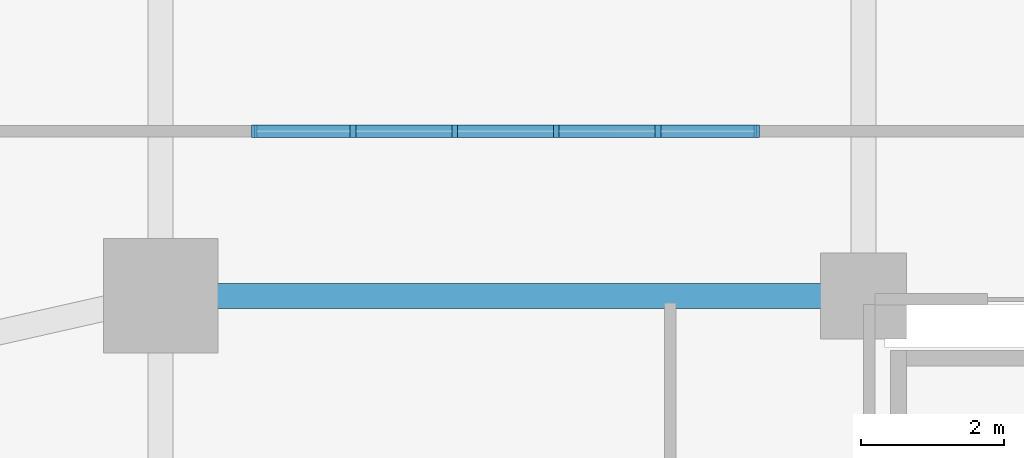
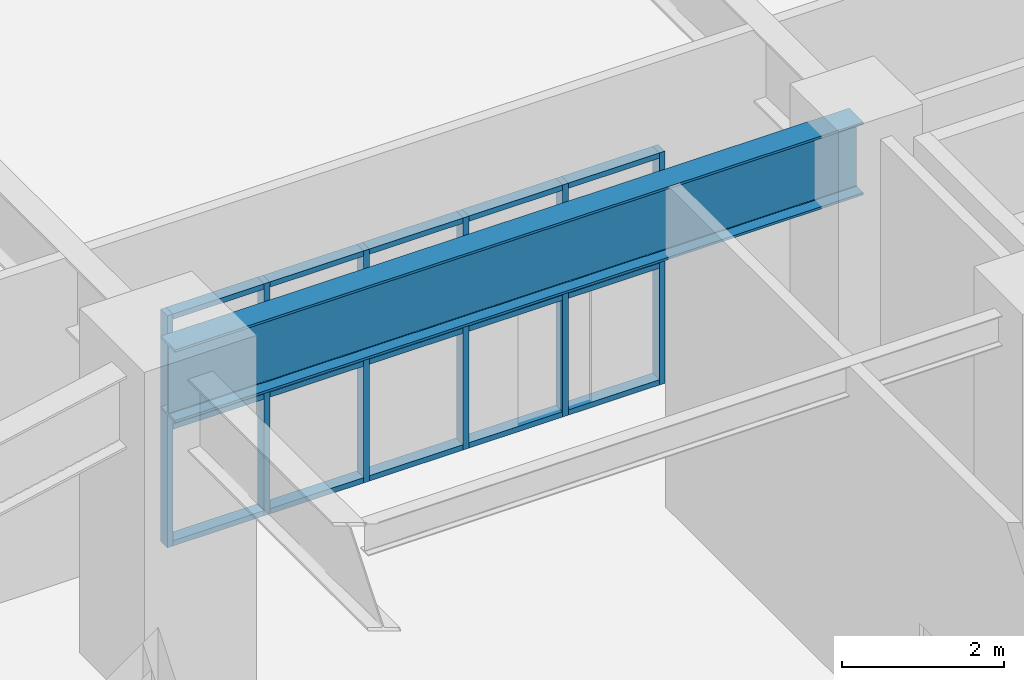
# One storey, part 3 of 14: 21 members, 1 beam, 1 element without a shape of its own.
"""IFC4 building model written with IfcOpenShell, lengths in metres."""

from ifc_helpers import new_model, si_unit, derived_unit, direction, frame, origin, origin_2d, place, context, subcontext, project, spatial, rectangle, i_section, extrude, material, material_profile, profile_set, type_object, element, aggregate, save


model = new_model("IFC4")

# Units and contexts
model_context = context("Model", 3, precision=1e-05, world=origin(), true_north=direction((0.0, 1.0)))
body_context = subcontext(model_context, "Body", "Model", "MODEL_VIEW")
ifc_project = project(units=[si_unit("LENGTHUNIT", "METRE"), si_unit("AREAUNIT", "SQUARE_METRE"), si_unit("VOLUMEUNIT", "CUBIC_METRE"), si_unit("PLANEANGLEUNIT", "RADIAN"), si_unit("MASSUNIT", "GRAM", prefix="KILO"), derived_unit("THERMALTRANSMITTANCEUNIT", [(si_unit("MASSUNIT", "GRAM", prefix="KILO"), 1), (si_unit("TIMEUNIT", "SECOND"), -3), (si_unit("THERMODYNAMICTEMPERATUREUNIT", "KELVIN"), -1)])], contexts=[model_context])

# Site, building, storey
site_placement = place(None, origin())
site = spatial("IfcSite", under=ifc_project, at=site_placement, CompositionType="ELEMENT")
building_placement = place(site_placement, origin())
building = spatial("IfcBuilding", under=site, at=building_placement, Name="Korrvale Station Residences", CompositionType="ELEMENT")
storey_placement = place(building_placement, frame((0.0, 0.0, 6.0)))
storey = spatial("IfcBuildingStorey", under=building, at=storey_placement, Name="L01", CompositionType="ELEMENT", Elevation=6.0)

# Beam
ifc_material_1 = material(Name="Steel S355", Category="steel")
ifc_material_profile = material_profile(ifc_material_1, i_section(OverallWidth=0.35009765625, OverallDepth=1.10009765625, WebThickness=0.01611328125, FlangeThickness=0.034912109375, FilletRadius=0.01806640625, at=origin_2d()), Name="WWF1100x351")
ifc_profile_set = profile_set([ifc_material_profile], Name="Steel S355")
beam_type = type_object("IfcBeamType", Name="BM-BM-WWF1100x351-S355", PredefinedType="BEAM", material=ifc_profile_set)
beam_placement = place(storey_placement, frame((7.97998046875, 29.0, 4.330078125), z_axis=(1.0, 0.0, 0.0), x_axis=(0.0, 1.0, 0.0)))
element("IfcBeam", 1, at=beam_placement, inside=storey, type_object=beam_type, Name="L01 Station Primary Girder 08", PredefinedType="BEAM", context=body_context, shape_type="SweptSolid", body=[
    extrude(i_section(OverallWidth=0.35009765625, OverallDepth=1.10009765625, WebThickness=0.01611328125, FlangeThickness=0.034912109375, FilletRadius=0.01806640625, at=origin_2d()), origin(), (0.0, 0.0, 1.0), 9.820068359375),
])

# Curtain wall, members
ifc_material_2 = material(Name="Unitised thermally broken aluminium curtain wall with triple low-e IGU", Category="aluminium")
curtain_wall_type = type_object("IfcCurtainWallType", Name="CW-STN-CON", PredefinedType="NOTDEFINED", material=ifc_material_2)
curtain_wall_placement = place(storey_placement, origin())
curtain_wall = element("IfcCurtainWall", 2, at=curtain_wall_placement, inside=storey, type_object=curtain_wall_type, Name="L01 Curtain Wall CW2-RUN-3", PredefinedType="NOTDEFINED")
ifc_material_3 = material(Name="Extruded thermally broken aluminium mullion", Category="aluminium")
member_type_1 = type_object("IfcMemberType", Name="CW-STN-CON-M", PredefinedType="MULLION", material=ifc_material_3)
member_1_placement = place(storey_placement, frame((9.2900390625, 31.300048828125, 0.0), z_axis=(0.0, 0.0, 1.0), x_axis=(1.0, 0.0, 0.0)))
member_1 = element("IfcMember", 3, at=member_1_placement, type_object=member_type_1, Name="CW-STN-CON Mullion 1", PredefinedType="MULLION", context=body_context, shape_type="SweptSolid", body=[
    extrude(rectangle(XDim=0.080078125, YDim=0.169921875, at=origin_2d()), origin(), (0.0, 0.0, 1.0), 3.5),
])
member_2_placement = place(storey_placement, frame((10.669921875, 31.300048828125, 0.0), z_axis=(0.0, 0.0, 1.0), x_axis=(1.0, 0.0, 0.0)))
member_2 = element("IfcMember", 4, at=member_2_placement, type_object=member_type_1, Name="CW-STN-CON Mullion 2", PredefinedType="MULLION", context=body_context, shape_type="SweptSolid", body=[
    extrude(rectangle(XDim=0.080078125, YDim=0.169921875, at=origin_2d()), origin(), (0.0, 0.0, 1.0), 3.5),
])
member_3_placement = place(storey_placement, frame((12.090087890625, 31.300048828125, 0.0), z_axis=(0.0, 0.0, 1.0), x_axis=(1.0, 0.0, 0.0)))
member_3 = element("IfcMember", 5, at=member_3_placement, type_object=member_type_1, Name="CW-STN-CON Mullion 3", PredefinedType="MULLION", context=body_context, shape_type="SweptSolid", body=[
    extrude(rectangle(XDim=0.080078125, YDim=0.169921875, at=origin_2d()), origin(), (0.0, 0.0, 1.0), 3.5),
])
member_4_placement = place(storey_placement, frame((13.510009765625, 31.300048828125, 0.0), z_axis=(0.0, 0.0, 1.0), x_axis=(1.0, 0.0, 0.0)))
member_4 = element("IfcMember", 6, at=member_4_placement, type_object=member_type_1, Name="CW-STN-CON Mullion 4", PredefinedType="MULLION", context=body_context, shape_type="SweptSolid", body=[
    extrude(rectangle(XDim=0.080078125, YDim=0.169921875, at=origin_2d()), origin(), (0.0, 0.0, 1.0), 3.5),
])
member_5_placement = place(storey_placement, frame((14.929931640625, 31.300048828125, 0.0), z_axis=(0.0, 0.0, 1.0), x_axis=(1.0, 0.0, 0.0)))
member_5 = element("IfcMember", 7, at=member_5_placement, type_object=member_type_1, Name="CW-STN-CON Mullion 5", PredefinedType="MULLION", context=body_context, shape_type="SweptSolid", body=[
    extrude(rectangle(XDim=0.080078125, YDim=0.169921875, at=origin_2d()), origin(), (0.0, 0.0, 1.0), 3.5),
])
member_6_placement = place(storey_placement, frame((16.31005859375, 31.300048828125, 0.0), z_axis=(0.0, 0.0, 1.0), x_axis=(1.0, 0.0, 0.0)))
member_6 = element("IfcMember", 8, at=member_6_placement, type_object=member_type_1, Name="CW-STN-CON Mullion 6", PredefinedType="MULLION", context=body_context, shape_type="SweptSolid", body=[
    extrude(rectangle(XDim=0.080078125, YDim=0.169921875, at=origin_2d()), origin(), (0.0, 0.0, 1.0), 3.5),
])
ifc_material_4 = material(Name="Extruded thermally broken aluminium transom", Category="aluminium")
member_type_2 = type_object("IfcMemberType", Name="CW-STN-CON-T", PredefinedType="USERDEFINED", material=ifc_material_4)
member_7_placement = place(storey_placement, frame((9.9599609375, 31.300048828125, 0.0), z_axis=(0.0, 0.0, 1.0), x_axis=(1.0, 0.0, 0.0)))
member_7 = element("IfcMember", 9, at=member_7_placement, type_object=member_type_2, Name="CW-STN-CON Transom 1-1", ObjectType="TRANSOM", PredefinedType="USERDEFINED", context=body_context, shape_type="SweptSolid", body=[
    extrude(rectangle(XDim=1.340087890625, YDim=0.169921875, at=origin_2d()), origin(), (0.0, 0.0, 1.0), 0.080078125),
])
member_8_placement = place(storey_placement, frame((9.9599609375, 31.300048828125, 1.760009765625), z_axis=(0.0, 0.0, 1.0), x_axis=(1.0, 0.0, 0.0)))
member_8 = element("IfcMember", 10, at=member_8_placement, type_object=member_type_2, Name="CW-STN-CON Transom 1-2", ObjectType="TRANSOM", PredefinedType="USERDEFINED", context=body_context, shape_type="SweptSolid", body=[
    extrude(rectangle(XDim=1.340087890625, YDim=0.169921875, at=origin_2d()), origin(), (0.0, 0.0, 1.0), 0.080078125),
])
member_9_placement = place(storey_placement, frame((9.9599609375, 31.300048828125, 3.419921875), z_axis=(0.0, 0.0, 1.0), x_axis=(1.0, 0.0, 0.0)))
member_9 = element("IfcMember", 11, at=member_9_placement, type_object=member_type_2, Name="CW-STN-CON Transom 1-3", ObjectType="TRANSOM", PredefinedType="USERDEFINED", context=body_context, shape_type="SweptSolid", body=[
    extrude(rectangle(XDim=1.340087890625, YDim=0.169921875, at=origin_2d()), origin(), (0.0, 0.0, 1.0), 0.080078125),
])
member_10_placement = place(storey_placement, frame((11.3798828125, 31.300048828125, 0.0), z_axis=(0.0, 0.0, 1.0), x_axis=(1.0, 0.0, 0.0)))
member_10 = element("IfcMember", 12, at=member_10_placement, type_object=member_type_2, Name="CW-STN-CON Transom 2-1", ObjectType="TRANSOM", PredefinedType="USERDEFINED", context=body_context, shape_type="SweptSolid", body=[
    extrude(rectangle(XDim=1.340087890625, YDim=0.169921875, at=origin_2d()), origin(), (0.0, 0.0, 1.0), 0.080078125),
])
member_11_placement = place(storey_placement, frame((11.3798828125, 31.300048828125, 1.760009765625), z_axis=(0.0, 0.0, 1.0), x_axis=(1.0, 0.0, 0.0)))
member_11 = element("IfcMember", 13, at=member_11_placement, type_object=member_type_2, Name="CW-STN-CON Transom 2-2", ObjectType="TRANSOM", PredefinedType="USERDEFINED", context=body_context, shape_type="SweptSolid", body=[
    extrude(rectangle(XDim=1.340087890625, YDim=0.169921875, at=origin_2d()), origin(), (0.0, 0.0, 1.0), 0.080078125),
])
member_12_placement = place(storey_placement, frame((11.3798828125, 31.300048828125, 3.419921875), z_axis=(0.0, 0.0, 1.0), x_axis=(1.0, 0.0, 0.0)))
member_12 = element("IfcMember", 14, at=member_12_placement, type_object=member_type_2, Name="CW-STN-CON Transom 2-3", ObjectType="TRANSOM", PredefinedType="USERDEFINED", context=body_context, shape_type="SweptSolid", body=[
    extrude(rectangle(XDim=1.340087890625, YDim=0.169921875, at=origin_2d()), origin(), (0.0, 0.0, 1.0), 0.080078125),
])
member_13_placement = place(storey_placement, frame((12.800048828125, 31.300048828125, 0.0), z_axis=(0.0, 0.0, 1.0), x_axis=(1.0, 0.0, 0.0)))
member_13 = element("IfcMember", 15, at=member_13_placement, type_object=member_type_2, Name="CW-STN-CON Transom 3-1", ObjectType="TRANSOM", PredefinedType="USERDEFINED", context=body_context, shape_type="SweptSolid", body=[
    extrude(rectangle(XDim=1.340087890625, YDim=0.169921875, at=origin_2d()), origin(), (0.0, 0.0, 1.0), 0.080078125),
])
member_14_placement = place(storey_placement, frame((12.800048828125, 31.300048828125, 1.760009765625), z_axis=(0.0, 0.0, 1.0), x_axis=(1.0, 0.0, 0.0)))
member_14 = element("IfcMember", 16, at=member_14_placement, type_object=member_type_2, Name="CW-STN-CON Transom 3-2", ObjectType="TRANSOM", PredefinedType="USERDEFINED", context=body_context, shape_type="SweptSolid", body=[
    extrude(rectangle(XDim=1.340087890625, YDim=0.169921875, at=origin_2d()), origin(), (0.0, 0.0, 1.0), 0.080078125),
])
member_15_placement = place(storey_placement, frame((12.800048828125, 31.300048828125, 3.419921875), z_axis=(0.0, 0.0, 1.0), x_axis=(1.0, 0.0, 0.0)))
member_15 = element("IfcMember", 17, at=member_15_placement, type_object=member_type_2, Name="CW-STN-CON Transom 3-3", ObjectType="TRANSOM", PredefinedType="USERDEFINED", context=body_context, shape_type="SweptSolid", body=[
    extrude(rectangle(XDim=1.340087890625, YDim=0.169921875, at=origin_2d()), origin(), (0.0, 0.0, 1.0), 0.080078125),
])
member_16_placement = place(storey_placement, frame((14.219970703125, 31.300048828125, 0.0), z_axis=(0.0, 0.0, 1.0), x_axis=(1.0, 0.0, 0.0)))
member_16 = element("IfcMember", 18, at=member_16_placement, type_object=member_type_2, Name="CW-STN-CON Transom 4-1", ObjectType="TRANSOM", PredefinedType="USERDEFINED", context=body_context, shape_type="SweptSolid", body=[
    extrude(rectangle(XDim=1.340087890625, YDim=0.169921875, at=origin_2d()), origin(), (0.0, 0.0, 1.0), 0.080078125),
])
member_17_placement = place(storey_placement, frame((14.219970703125, 31.300048828125, 1.760009765625), z_axis=(0.0, 0.0, 1.0), x_axis=(1.0, 0.0, 0.0)))
member_17 = element("IfcMember", 19, at=member_17_placement, type_object=member_type_2, Name="CW-STN-CON Transom 4-2", ObjectType="TRANSOM", PredefinedType="USERDEFINED", context=body_context, shape_type="SweptSolid", body=[
    extrude(rectangle(XDim=1.340087890625, YDim=0.169921875, at=origin_2d()), origin(), (0.0, 0.0, 1.0), 0.080078125),
])
member_18_placement = place(storey_placement, frame((14.219970703125, 31.300048828125, 3.419921875), z_axis=(0.0, 0.0, 1.0), x_axis=(1.0, 0.0, 0.0)))
member_18 = element("IfcMember", 20, at=member_18_placement, type_object=member_type_2, Name="CW-STN-CON Transom 4-3", ObjectType="TRANSOM", PredefinedType="USERDEFINED", context=body_context, shape_type="SweptSolid", body=[
    extrude(rectangle(XDim=1.340087890625, YDim=0.169921875, at=origin_2d()), origin(), (0.0, 0.0, 1.0), 0.080078125),
])
member_19_placement = place(storey_placement, frame((15.639892578125, 31.300048828125, 0.0), z_axis=(0.0, 0.0, 1.0), x_axis=(1.0, 0.0, 0.0)))
member_19 = element("IfcMember", 21, at=member_19_placement, type_object=member_type_2, Name="CW-STN-CON Transom 5-1", ObjectType="TRANSOM", PredefinedType="USERDEFINED", context=body_context, shape_type="SweptSolid", body=[
    extrude(rectangle(XDim=1.340087890625, YDim=0.169921875, at=origin_2d()), origin(), (0.0, 0.0, 1.0), 0.080078125),
])
member_20_placement = place(storey_placement, frame((15.639892578125, 31.300048828125, 1.760009765625), z_axis=(0.0, 0.0, 1.0), x_axis=(1.0, 0.0, 0.0)))
member_20 = element("IfcMember", 22, at=member_20_placement, type_object=member_type_2, Name="CW-STN-CON Transom 5-2", ObjectType="TRANSOM", PredefinedType="USERDEFINED", context=body_context, shape_type="SweptSolid", body=[
    extrude(rectangle(XDim=1.340087890625, YDim=0.169921875, at=origin_2d()), origin(), (0.0, 0.0, 1.0), 0.080078125),
])
member_21_placement = place(storey_placement, frame((15.639892578125, 31.300048828125, 3.419921875), z_axis=(0.0, 0.0, 1.0), x_axis=(1.0, 0.0, 0.0)))
member_21 = element("IfcMember", 23, at=member_21_placement, type_object=member_type_2, Name="CW-STN-CON Transom 5-3", ObjectType="TRANSOM", PredefinedType="USERDEFINED", context=body_context, shape_type="SweptSolid", body=[
    extrude(rectangle(XDim=1.340087890625, YDim=0.169921875, at=origin_2d()), origin(), (0.0, 0.0, 1.0), 0.080078125),
])
aggregate(curtain_wall, [member_1, member_2, member_3, member_4, member_5, member_6, member_7, member_8, member_9, member_10, member_11, member_12, member_13, member_14, member_15, member_16, member_17, member_18, member_19, member_20, member_21])

save(model, "model.ifc")
